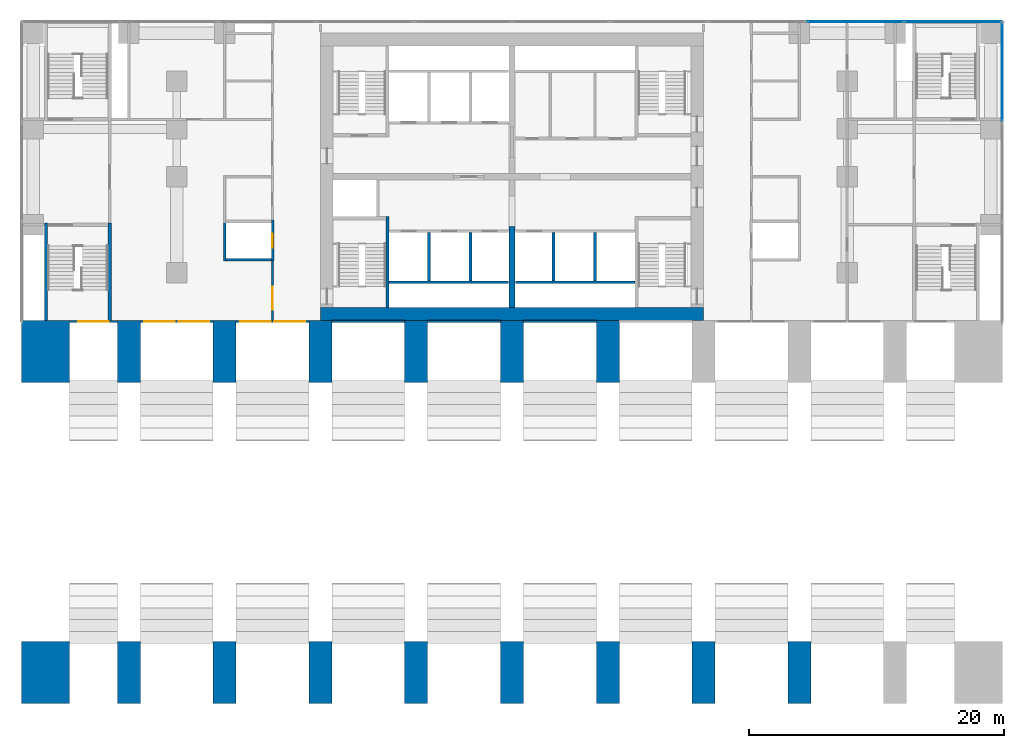
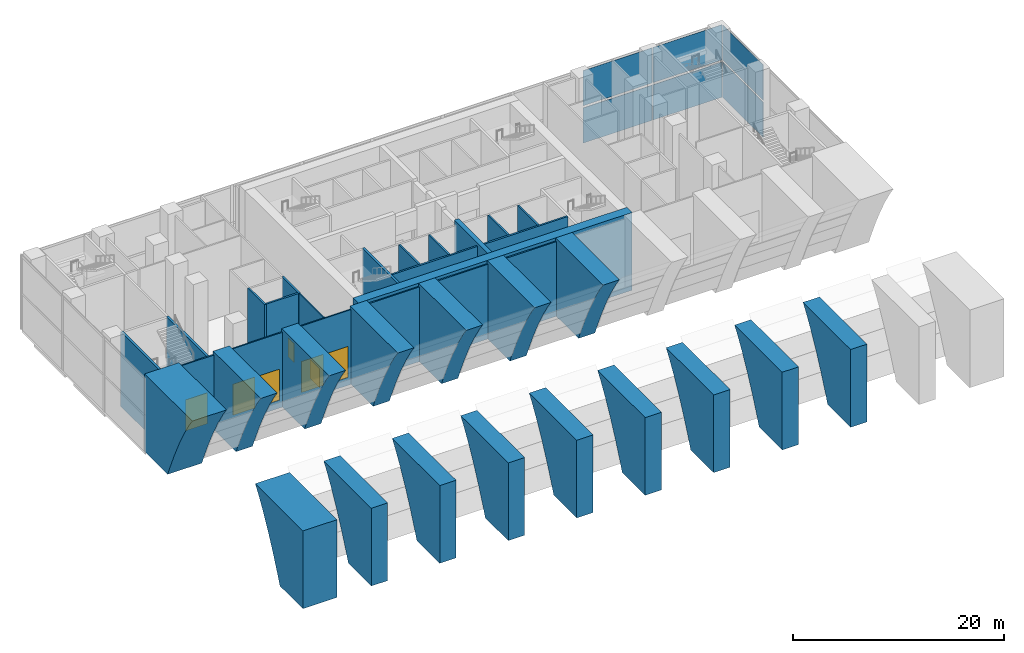
# One storey, part 5 of 14: 37 walls, 6 plates, 5 windows, 2 doors, 7 openings, 4 elements without a shape of their own.
"""IFC4 building model written with IfcOpenShell, lengths in metres."""

from ifc_helpers import new_model, si_unit, direction, frame, frame_2d, origin, origin_2d, place, context, subcontext, project, spatial, polyline, rectangle, outline, extrude, material, layer, layer_set, type_object, element, fill, aggregate, save


model = new_model("IFC4")

# Units and contexts
model_context = context("Model", 3, precision=1e-05, world=origin(), true_north=direction((0.0, 1.0)))
body_context = subcontext(model_context, "Body", "Model", "MODEL_VIEW")
ifc_project = project(units=[si_unit("LENGTHUNIT", "METRE"), si_unit("AREAUNIT", "SQUARE_METRE"), si_unit("VOLUMEUNIT", "CUBIC_METRE"), si_unit("PLANEANGLEUNIT", "RADIAN"), si_unit("MASSUNIT", "GRAM", prefix="KILO")], contexts=[model_context])

# Site, building, storey
site_placement = place(None, origin())
site = spatial("IfcSite", under=ifc_project, at=site_placement, CompositionType="ELEMENT")
building_placement = place(site_placement, origin())
building = spatial("IfcBuilding", under=site, at=building_placement, Name="Pilkhan Gate Tower", CompositionType="ELEMENT")
storey_placement = place(building_placement, frame((0.0, 0.0, 7.5)))
storey = spatial("IfcBuildingStorey", under=building, at=storey_placement, Name="L01", CompositionType="ELEMENT", Elevation=7.5)

# Curtain wall, plate
ifc_material_1 = material(Name="Pale anodised aluminium, clear low-iron laminated glazing", Category="aluminium")
curtain_wall_type = type_object("IfcCurtainWallType", Name="Podium unitised curtain wall CW-P", PredefinedType="USERDEFINED", material=ifc_material_1)
curtain_wall_1_placement = place(storey_placement, origin())
curtain_wall_1 = element("IfcCurtainWall", 1, at=curtain_wall_1_placement, inside=storey, type_object=curtain_wall_type, Name="Podium unitised curtain wall CW-P L01 E", ObjectType="UNITISED CURTAIN WALL", PredefinedType="USERDEFINED")
ifc_material_2 = material(Name="Clear low-iron laminated glazing", Category="glass")
ifc_layer_1 = layer(ifc_material_2, 0.048095703125)
ifc_layer_set_1 = layer_set([ifc_layer_1], Name="Glass panel CW-P 48")
plate_type = type_object("IfcPlateType", Name="Glass panel CW-P 48", PredefinedType="CURTAIN_PANEL", material=ifc_layer_set_1)
plate_1_placement = place(storey_placement, frame((113.39501953125, 90.7216796875, 0.0), z_axis=(0.0, 0.0, 1.0), x_axis=(0.0, 1.0, 0.0)))
plate_1 = element("IfcPlate", 2, at=plate_1_placement, type_object=plate_type, Name="CW-P panel 1", PredefinedType="CURTAIN_PANEL", context=body_context, shape_type="SweptSolid", body=[
    extrude(rectangle(XDim=7.686767578125, YDim=0.048095703125, at=origin_2d()), origin(), (0.0, 0.0, 1.0), 4.074951171875),
])
aggregate(curtain_wall_1, [plate_1])

curtain_wall_2_placement = place(storey_placement, origin())
curtain_wall_2 = element("IfcCurtainWall", 3, at=curtain_wall_2_placement, inside=storey, type_object=curtain_wall_type, Name="Podium unitised curtain wall CW-P L01 E", ObjectType="UNITISED CURTAIN WALL", PredefinedType="USERDEFINED")
plate_2_placement = place(storey_placement, frame((113.39501953125, 90.7216796875, 4.3251953125), z_axis=(0.0, 0.0, 1.0), x_axis=(0.0, 1.0, 0.0)))
plate_2 = element("IfcPlate", 4, at=plate_2_placement, type_object=plate_type, Name="CW-P panel 1", PredefinedType="CURTAIN_PANEL", context=body_context, shape_type="SweptSolid", body=[
    extrude(rectangle(XDim=7.686767578125, YDim=0.048095703125, at=origin_2d()), origin(), (0.0, 0.0, 1.0), 4.074951171875),
])
aggregate(curtain_wall_2, [plate_2])

# Curtain wall, plates
curtain_wall_3_placement = place(storey_placement, origin())
curtain_wall_3 = element("IfcCurtainWall", 5, at=curtain_wall_3_placement, inside=storey, type_object=curtain_wall_type, Name="Podium unitised curtain wall CW-P L01 N", ObjectType="UNITISED CURTAIN WALL", PredefinedType="USERDEFINED")
plate_3_placement = place(storey_placement, frame((101.896484375, 94.64501953125, 0.0), z_axis=(0.0, 0.0, 1.0), x_axis=(1.0, 0.0, 0.0)))
plate_3 = element("IfcPlate", 6, at=plate_3_placement, type_object=plate_type, Name="CW-P panel 1", PredefinedType="CURTAIN_PANEL", context=body_context, shape_type="SweptSolid", body=[
    extrude(rectangle(XDim=7.55908203125, YDim=0.048095703125, at=origin_2d()), origin(), (0.0, 0.0, 1.0), 4.074951171875),
])
plate_4_placement = place(storey_placement, frame((109.535400390625, 94.64501953125, 0.0), z_axis=(0.0, 0.0, 1.0), x_axis=(1.0, 0.0, 0.0)))
plate_4 = element("IfcPlate", 7, at=plate_4_placement, type_object=plate_type, Name="CW-P panel 2", PredefinedType="CURTAIN_PANEL", context=body_context, shape_type="SweptSolid", body=[
    extrude(rectangle(XDim=7.55908203125, YDim=0.048095703125, at=origin_2d()), origin(), (0.0, 0.0, 1.0), 4.074951171875),
])
aggregate(curtain_wall_3, [plate_3, plate_4])

curtain_wall_4_placement = place(storey_placement, origin())
curtain_wall_4 = element("IfcCurtainWall", 8, at=curtain_wall_4_placement, inside=storey, type_object=curtain_wall_type, Name="Podium unitised curtain wall CW-P L01 N", ObjectType="UNITISED CURTAIN WALL", PredefinedType="USERDEFINED")
plate_5_placement = place(storey_placement, frame((101.896484375, 94.64501953125, 4.3251953125), z_axis=(0.0, 0.0, 1.0), x_axis=(1.0, 0.0, 0.0)))
plate_5 = element("IfcPlate", 9, at=plate_5_placement, type_object=plate_type, Name="CW-P panel 1", PredefinedType="CURTAIN_PANEL", context=body_context, shape_type="SweptSolid", body=[
    extrude(rectangle(XDim=7.55908203125, YDim=0.048095703125, at=origin_2d()), origin(), (0.0, 0.0, 1.0), 4.074951171875),
])
plate_6_placement = place(storey_placement, frame((109.535400390625, 94.64501953125, 4.3251953125), z_axis=(0.0, 0.0, 1.0), x_axis=(1.0, 0.0, 0.0)))
plate_6 = element("IfcPlate", 10, at=plate_6_placement, type_object=plate_type, Name="CW-P panel 2", PredefinedType="CURTAIN_PANEL", context=body_context, shape_type="SweptSolid", body=[
    extrude(rectangle(XDim=7.55908203125, YDim=0.048095703125, at=origin_2d()), origin(), (0.0, 0.0, 1.0), 4.074951171875),
])
aggregate(curtain_wall_4, [plate_5, plate_6])

# Walls
ifc_material_3 = material(Name="Concrete C70/85", Category="concrete")
ifc_layer_2 = layer(ifc_material_3, 1.800048828125)
ifc_layer_set_2 = layer_set([ifc_layer_2], Name="Arch wall AW1800 C70/85")
wall_type_1 = type_object("IfcWallType", Name="Arch wall AW1800 C70/85", PredefinedType="SHEAR", material=ifc_layer_set_2)
wall_1_placement = place(storey_placement, frame((45.89990234375, 50.279541015625, 9.0), z_axis=(1.0, 0.0, 0.0), x_axis=(0.0, -1.0, 0.0)))
element("IfcWall", 11, at=wall_1_placement, inside=storey, type_object=wall_type_1, Name="Arch wall -30.00 L01-1", PredefinedType="SHEAR", context=body_context, shape_type="SweptSolid", body=[
    extrude(outline(polyline([(0.0, 0.0), (9.029541015625, 0.0), (9.029541015625, 9.0), (4.678466796875, 9.0), (4.342041015625, 8.16015625), (3.404541015625, 6.023681640625), (2.467041015625, 4.090576171875), (1.529541015625, 2.361083984375), (0.592041015625, 0.8349609375), (0.0, 0.0)])), origin(), (0.0, 0.0, -1.0), 1.800048828125),
])
wall_2_placement = place(storey_placement, frame((45.89990234375, 66.5625, 0.83984375), z_axis=(1.0, 0.0, 0.0), x_axis=(0.0, 0.371855891589, -0.928290469568)))
element("IfcWall", 12, at=wall_2_placement, inside=storey, type_object=wall_type_1, Name="Arch wall -30.00 L01-2", PredefinedType="SHEAR", context=body_context, shape_type="SweptSolid", body=[
    extrude(outline(polyline([(0.0, 0.0), (0.9047208578913915, 0.0), (2.5226934408728128, 4.039060729648831), (-5.831920785239549, 7.385763753946168), (-9.189608810240552, -0.9962731154322428), (-8.194368589775456, -0.7571722268898822), (-6.429068211608948, -0.45439775793944737), (-4.47498219839601, -0.22724730209772814), (-2.33188391672122, -0.07581164449450639), (0.0, 0.0)])), origin(), (0.0, 0.0, -1.0), 1.800048828125),
])
wall_3_placement = place(storey_placement, frame((53.39990234375, 50.279541015625, 9.0), z_axis=(1.0, 0.0, 0.0), x_axis=(0.0, -1.0, 0.0)))
element("IfcWall", 13, at=wall_3_placement, inside=storey, type_object=wall_type_1, Name="Arch wall -22.50 L01-1", PredefinedType="SHEAR", context=body_context, shape_type="SweptSolid", body=[
    extrude(outline(polyline([(0.0, 0.0), (9.029541015625, 0.0), (9.029541015625, 9.0), (4.678466796875, 9.0), (4.342041015625, 8.16015625), (3.404541015625, 6.023681640625), (2.467041015625, 4.090576171875), (1.529541015625, 2.361083984375), (0.592041015625, 0.8349609375), (0.0, 0.0)])), origin(), (0.0, 0.0, -1.0), 1.800048828125),
])
wall_4_placement = place(storey_placement, frame((53.39990234375, 66.5625, 0.83984375), z_axis=(1.0, 0.0, 0.0), x_axis=(0.0, 0.371855891589, -0.928290469568)))
element("IfcWall", 14, at=wall_4_placement, inside=storey, type_object=wall_type_1, Name="Arch wall -22.50 L01-2", PredefinedType="SHEAR", context=body_context, shape_type="SweptSolid", body=[
    extrude(outline(polyline([(0.0, 0.0), (0.9047208578913915, 0.0), (2.5226934408728128, 4.039060729648831), (-5.831920785239549, 7.385763753946168), (-9.189608810240552, -0.9962731154322428), (-8.194368589775456, -0.7571722268898822), (-6.429068211608948, -0.45439775793944737), (-4.47498219839601, -0.22724730209772814), (-2.33188391672122, -0.07581164449450639), (0.0, 0.0)])), origin(), (0.0, 0.0, -1.0), 1.800048828125),
])
wall_5_placement = place(storey_placement, frame((60.89990234375, 50.279541015625, 9.0), z_axis=(1.0, 0.0, 0.0), x_axis=(0.0, -1.0, 0.0)))
element("IfcWall", 15, at=wall_5_placement, inside=storey, type_object=wall_type_1, Name="Arch wall -15.00 L01-1", PredefinedType="SHEAR", context=body_context, shape_type="SweptSolid", body=[
    extrude(outline(polyline([(0.0, 0.0), (9.029541015625, 0.0), (9.029541015625, 9.0), (4.678466796875, 9.0), (4.342041015625, 8.16015625), (3.404541015625, 6.023681640625), (2.467041015625, 4.090576171875), (1.529541015625, 2.361083984375), (0.592041015625, 0.8349609375), (0.0, 0.0)])), origin(), (0.0, 0.0, -1.0), 1.800048828125),
])
wall_6_placement = place(storey_placement, frame((60.89990234375, 66.5625, 0.83984375), z_axis=(1.0, 0.0, 0.0), x_axis=(0.0, 0.371855891589, -0.928290469568)))
element("IfcWall", 16, at=wall_6_placement, inside=storey, type_object=wall_type_1, Name="Arch wall -15.00 L01-2", PredefinedType="SHEAR", context=body_context, shape_type="SweptSolid", body=[
    extrude(outline(polyline([(0.0, 0.0), (0.9047208578913915, 0.0), (2.5226934408728128, 4.039060729648831), (-5.831920785239549, 7.385763753946168), (-9.189608810240552, -0.9962731154322428), (-8.194368589775456, -0.7571722268898822), (-6.429068211608948, -0.45439775793944737), (-4.47498219839601, -0.22724730209772814), (-2.33188391672122, -0.07581164449450639), (0.0, 0.0)])), origin(), (0.0, 0.0, -1.0), 1.800048828125),
])
wall_7_placement = place(storey_placement, frame((68.39990234375, 50.279541015625, 9.0), z_axis=(1.0, 0.0, 0.0), x_axis=(0.0, -1.0, 0.0)))
element("IfcWall", 17, at=wall_7_placement, inside=storey, type_object=wall_type_1, Name="Arch wall -7.50 L01-1", PredefinedType="SHEAR", context=body_context, shape_type="SweptSolid", body=[
    extrude(outline(polyline([(0.0, 0.0), (9.029541015625, 0.0), (9.029541015625, 9.0), (4.678466796875, 9.0), (4.342041015625, 8.16015625), (3.404541015625, 6.023681640625), (2.467041015625, 4.090576171875), (1.529541015625, 2.361083984375), (0.592041015625, 0.8349609375), (0.0, 0.0)])), origin(), (0.0, 0.0, -1.0), 1.800048828125),
])
wall_8_placement = place(storey_placement, frame((68.39990234375, 66.5625, 0.83984375), z_axis=(1.0, 0.0, 0.0), x_axis=(0.0, 0.371855891589, -0.928290469568)))
element("IfcWall", 18, at=wall_8_placement, inside=storey, type_object=wall_type_1, Name="Arch wall -7.50 L01-2", PredefinedType="SHEAR", context=body_context, shape_type="SweptSolid", body=[
    extrude(outline(polyline([(0.0, 0.0), (0.9047208578913915, 0.0), (2.5226934408728128, 4.039060729648831), (-5.831920785239549, 7.385763753946168), (-9.189608810240552, -0.9962731154322428), (-8.194368589775456, -0.7571722268898822), (-6.429068211608948, -0.45439775793944737), (-4.47498219839601, -0.22724730209772814), (-2.33188391672122, -0.07581164449450639), (0.0, 0.0)])), origin(), (0.0, 0.0, -1.0), 1.800048828125),
])
wall_9_placement = place(storey_placement, frame((75.89990234375, 50.279541015625, 9.0), z_axis=(1.0, 0.0, 0.0), x_axis=(0.0, -1.0, 0.0)))
element("IfcWall", 19, at=wall_9_placement, inside=storey, type_object=wall_type_1, Name="Arch wall +0.00 L01-1", PredefinedType="SHEAR", context=body_context, shape_type="SweptSolid", body=[
    extrude(outline(polyline([(0.0, 0.0), (9.029541015625, 0.0), (9.029541015625, 9.0), (4.678466796875, 9.0), (4.342041015625, 8.16015625), (3.404541015625, 6.023681640625), (2.467041015625, 4.090576171875), (1.529541015625, 2.361083984375), (0.592041015625, 0.8349609375), (0.0, 0.0)])), origin(), (0.0, 0.0, -1.0), 1.800048828125),
])
wall_10_placement = place(storey_placement, frame((75.89990234375, 66.5625, 0.83984375), z_axis=(1.0, 0.0, 0.0), x_axis=(0.0, 0.371855891589, -0.928290469568)))
element("IfcWall", 20, at=wall_10_placement, inside=storey, type_object=wall_type_1, Name="Arch wall +0.00 L01-2", PredefinedType="SHEAR", context=body_context, shape_type="SweptSolid", body=[
    extrude(outline(polyline([(0.0, 0.0), (0.9047208578913915, 0.0), (2.5226934408728128, 4.039060729648831), (-5.831920785239549, 7.385763753946168), (-9.189608810240552, -0.9962731154322428), (-8.194368589775456, -0.7571722268898822), (-6.429068211608948, -0.45439775793944737), (-4.47498219839601, -0.22724730209772814), (-2.33188391672122, -0.07581164449450639), (0.0, 0.0)])), origin(), (0.0, 0.0, -1.0), 1.800048828125),
])
wall_11_placement = place(storey_placement, frame((83.39990234375, 50.279541015625, 9.0), z_axis=(1.0, 0.0, 0.0), x_axis=(0.0, -1.0, 0.0)))
element("IfcWall", 21, at=wall_11_placement, inside=storey, type_object=wall_type_1, Name="Arch wall +7.50 L01-1", PredefinedType="SHEAR", context=body_context, shape_type="SweptSolid", body=[
    extrude(outline(polyline([(0.0, 0.0), (9.029541015625, 0.0), (9.029541015625, 9.0), (4.678466796875, 9.0), (4.342041015625, 8.16015625), (3.404541015625, 6.023681640625), (2.467041015625, 4.090576171875), (1.529541015625, 2.361083984375), (0.592041015625, 0.8349609375), (0.0, 0.0)])), origin(), (0.0, 0.0, -1.0), 1.800048828125),
])
wall_12_placement = place(storey_placement, frame((83.39990234375, 66.5625, 0.83984375), z_axis=(1.0, 0.0, 0.0), x_axis=(0.0, 0.371855891589, -0.928290469568)))
element("IfcWall", 22, at=wall_12_placement, inside=storey, type_object=wall_type_1, Name="Arch wall +7.50 L01-2", PredefinedType="SHEAR", context=body_context, shape_type="SweptSolid", body=[
    extrude(outline(polyline([(0.0, 0.0), (0.9047208578913915, 0.0), (2.5226934408728128, 4.039060729648831), (-5.831920785239549, 7.385763753946168), (-9.189608810240552, -0.9962731154322428), (-8.194368589775456, -0.7571722268898822), (-6.429068211608948, -0.45439775793944737), (-4.47498219839601, -0.22724730209772814), (-2.33188391672122, -0.07581164449450639), (0.0, 0.0)])), origin(), (0.0, 0.0, -1.0), 1.800048828125),
])
for number, where, z_axis, x_axis, name in (
    (23, (90.89990234375, 50.279541015625, 9.0), (1.0, 0.0, 0.0), (0.0, -1.0, 0.0), "Arch wall +15.00 L01-1"),
    (24, (98.39990234375, 50.279541015625, 9.0), (1.0, 0.0, 0.0), (0.0, -1.0, 0.0), "Arch wall +22.50 L01-1"),
):
    element("IfcWall", number, at=place(storey_placement, frame(where, z_axis=z_axis, x_axis=x_axis)), inside=storey, type_object=wall_type_1, Name=name, PredefinedType="SHEAR", context=body_context, shape_type="SweptSolid", body=[
        extrude(outline(polyline([(0.0, 0.0), (9.029541015625, 0.0), (9.029541015625, 9.0), (4.678466796875, 9.0), (4.342041015625, 8.16015625), (3.404541015625, 6.023681640625), (2.467041015625, 4.090576171875), (1.529541015625, 2.361083984375), (0.592041015625, 0.8349609375), (0.0, 0.0)])), origin(), (0.0, 0.0, -1.0), 1.800048828125),
    ])
ifc_layer_3 = layer(ifc_material_3, 3.75)
ifc_layer_set_3 = layer_set([ifc_layer_3], Name="Arch wall AW3750 C70/85")
wall_type_2 = type_object("IfcWallType", Name="Arch wall AW3750 C70/85", PredefinedType="SHEAR", material=ifc_layer_set_3)
wall_13_placement = place(storey_placement, frame((40.35009765625, 50.279541015625, 9.0), z_axis=(1.0, 0.0, 0.0), x_axis=(0.0, -1.0, 0.0)))
element("IfcWall", 25, at=wall_13_placement, inside=storey, type_object=wall_type_2, Name="Arch wall -37.50 L01-1", PredefinedType="SHEAR", context=body_context, shape_type="SweptSolid", body=[
    extrude(outline(polyline([(0.0, 0.0), (9.029541015625, 0.0), (9.029541015625, 9.0), (4.678466796875, 9.0), (4.342041015625, 8.16015625), (3.404541015625, 6.023681640625), (2.467041015625, 4.090576171875), (1.529541015625, 2.361083984375), (0.592041015625, 0.8349609375), (0.0, 0.0)])), origin(), (0.0, 0.0, -1.0), 3.75),
])
wall_14_placement = place(storey_placement, frame((40.35009765625, 66.5625, 0.83984375), z_axis=(1.0, 0.0, 0.0), x_axis=(0.0, 0.371855891589, -0.928290469568)))
element("IfcWall", 26, at=wall_14_placement, inside=storey, type_object=wall_type_2, Name="Arch wall -37.50 L01-2", PredefinedType="SHEAR", context=body_context, shape_type="SweptSolid", body=[
    extrude(outline(polyline([(0.0, 0.0), (0.9047208578913915, 0.0), (2.5226934408728128, 4.039060729648831), (-5.831920785239549, 7.385763753946168), (-9.189608810240552, -0.9962731154322428), (-8.194368589775456, -0.7571722268898822), (-6.429068211608948, -0.45439775793944737), (-4.47498219839601, -0.22724730209772814), (-2.33188391672122, -0.07581164449450639), (0.0, 0.0)])), origin(), (0.0, 0.0, -1.0), 3.75),
])
ifc_layer_4 = layer(ifc_material_3, 1.0)
ifc_layer_set_4 = layer_set([ifc_layer_4], Name="Core wall CW1000 C70/85")
wall_type_3 = type_object("IfcWallType", Name="Core wall CW1000 C70/85", PredefinedType="SHEAR", material=ifc_layer_set_4)
wall_15_placement = place(storey_placement, frame((60.0, 71.75, 0.0), z_axis=(0.0, 0.0, 1.0), x_axis=(1.0, 0.0, 0.0)))
element("IfcWall", 27, at=wall_15_placement, inside=storey, type_object=wall_type_3, Name="Core wall S L01", PredefinedType="SHEAR", context=body_context, shape_type="SweptSolid", body=[
    extrude(rectangle(XDim=30.0, YDim=1.0, at=frame_2d((15.0, 0.0))), origin(), (0.0, 0.0, 1.0), 9.0),
])

# Wall, opening, window
ifc_material_4 = material(Name="Pale anodised aluminium, clear laminated glazing", Category="aluminium")
ifc_layer_5 = layer(ifc_material_4, 0.14990234375)
ifc_layer_set_5 = layer_set([ifc_layer_5], Name="Facade infill wall IW150")
wall_type_4 = type_object("IfcWallType", Name="Facade infill wall IW150", PredefinedType="SOLIDWALL", material=ifc_layer_set_5)
wall_16_placement = place(storey_placement, frame((40.35009765625, 71.175048828125, 0.0), z_axis=(0.0, 0.0, 1.0), x_axis=(1.0, 0.0, 0.0)))
wall_16 = element("IfcWall", 28, at=wall_16_placement, inside=storey, type_object=wall_type_4, Name="Shopfront wall L01", PredefinedType="SOLIDWALL", context=body_context, shape_type="SweptSolid", body=[
    extrude(rectangle(XDim=3.75, YDim=0.14990234375, at=frame_2d((1.875, 0.0))), origin(), (0.0, 0.0, 1.0), 8.64990234375),
])
opening_1_placement = place(wall_16_placement, frame((0.675048828125, 0.0, 0.89990234375)))
opening_1 = element("IfcOpeningElement", 29, at=opening_1_placement, cuts=wall_16, Name="Opening WS2", PredefinedType="OPENING", context=body_context, shape_type="SweptSolid", body=[
    extrude(rectangle(XDim=2.39990234375, YDim=3.60009765625, at=frame_2d((1.199951171875, 1.800048828125))), frame((0.0, 0.0849609375, 0.0), z_axis=(0.0, -1.0, 0.0), x_axis=(1.0, 0.0, 0.0)), (0.0, 0.0, 1.0), 0.169921875),
])
window_type = type_object("IfcWindowType", Name="Shopfront window WS2 2400x3600", PartitioningType="SINGLE_PANEL", PredefinedType="WINDOW", material=ifc_material_4)
window_1_placement = place(opening_1_placement, origin())
window_1 = element("IfcWindow", 30, at=window_1_placement, inside=storey, type_object=window_type, Name="Shopfront window L01", OverallHeight=3.60009765625, OverallWidth=2.39990234375, PartitioningType="SINGLE_PANEL", PredefinedType="WINDOW", context=body_context, shape_type="SweptSolid", body=[
    extrude(rectangle(XDim=2.39990234375, YDim=3.60009765625, at=frame_2d((1.199951171875, 1.800048828125))), frame((0.0, 0.030029296875, 0.0), z_axis=(0.0, -1.0, 0.0), x_axis=(1.0, 0.0, 0.0)), (0.0, 0.0, 1.0), 0.06005859375),
])
fill(opening_1, window_1)

# Wall, openings, windows
wall_17_placement = place(storey_placement, frame((45.89990234375, 71.175048828125, 0.0), z_axis=(0.0, 0.0, 1.0), x_axis=(1.0, 0.0, 0.0)))
wall_17 = element("IfcWall", 31, at=wall_17_placement, inside=storey, type_object=wall_type_4, Name="Shopfront wall L01", PredefinedType="SOLIDWALL", context=body_context, shape_type="SweptSolid", body=[
    extrude(rectangle(XDim=5.7001953125, YDim=0.14990234375, at=frame_2d((2.85009765625, 0.0))), origin(), (0.0, 0.0, 1.0), 8.64990234375),
])
opening_2_placement = place(wall_17_placement, frame((0.300048828125, 0.0, 0.89990234375)))
opening_2 = element("IfcOpeningElement", 32, at=opening_2_placement, cuts=wall_17, Name="Opening WS2", PredefinedType="OPENING", context=body_context, shape_type="SweptSolid", body=[
    extrude(rectangle(XDim=2.39990234375, YDim=3.60009765625, at=frame_2d((1.199951171875, 1.800048828125))), frame((0.0, 0.0849609375, 0.0), z_axis=(0.0, -1.0, 0.0), x_axis=(1.0, 0.0, 0.0)), (0.0, 0.0, 1.0), 0.169921875),
])
opening_3_placement = place(wall_17_placement, frame((3.0, 0.0, 0.89990234375)))
opening_3 = element("IfcOpeningElement", 33, at=opening_3_placement, cuts=wall_17, Name="Opening WS2", PredefinedType="OPENING", context=body_context, shape_type="SweptSolid", body=[
    extrude(rectangle(XDim=2.39990234375, YDim=3.60009765625, at=frame_2d((1.199951171875, 1.800048828125))), frame((0.0, 0.0849609375, 0.0), z_axis=(0.0, -1.0, 0.0), x_axis=(1.0, 0.0, 0.0)), (0.0, 0.0, 1.0), 0.169921875),
])
window_2_placement = place(opening_2_placement, origin())
window_2 = element("IfcWindow", 34, at=window_2_placement, inside=storey, type_object=window_type, Name="Shopfront window L01", OverallHeight=3.60009765625, OverallWidth=2.39990234375, PartitioningType="SINGLE_PANEL", PredefinedType="WINDOW", context=body_context, shape_type="SweptSolid", body=[
    extrude(rectangle(XDim=2.39990234375, YDim=3.60009765625, at=frame_2d((1.199951171875, 1.800048828125))), frame((0.0, 0.030029296875, 0.0), z_axis=(0.0, -1.0, 0.0), x_axis=(1.0, 0.0, 0.0)), (0.0, 0.0, 1.0), 0.06005859375),
])
fill(opening_2, window_2)
window_3_placement = place(opening_3_placement, origin())
window_3 = element("IfcWindow", 35, at=window_3_placement, inside=storey, type_object=window_type, Name="Shopfront window L01", OverallHeight=3.60009765625, OverallWidth=2.39990234375, PartitioningType="SINGLE_PANEL", PredefinedType="WINDOW", context=body_context, shape_type="SweptSolid", body=[
    extrude(rectangle(XDim=2.39990234375, YDim=3.60009765625, at=frame_2d((1.199951171875, 1.800048828125))), frame((0.0, 0.030029296875, 0.0), z_axis=(0.0, -1.0, 0.0), x_axis=(1.0, 0.0, 0.0)), (0.0, 0.0, 1.0), 0.06005859375),
])
fill(opening_3, window_3)

wall_18_placement = place(storey_placement, frame((53.39990234375, 71.175048828125, 0.0), z_axis=(0.0, 0.0, 1.0), x_axis=(1.0, 0.0, 0.0)))
wall_18 = element("IfcWall", 36, at=wall_18_placement, inside=storey, type_object=wall_type_4, Name="Shopfront wall L01", PredefinedType="SOLIDWALL", context=body_context, shape_type="SweptSolid", body=[
    extrude(rectangle(XDim=5.7001953125, YDim=0.14990234375, at=frame_2d((2.85009765625, 0.0))), origin(), (0.0, 0.0, 1.0), 8.64990234375),
])
opening_4_placement = place(wall_18_placement, frame((0.300048828125, 0.0, 0.89990234375)))
opening_4 = element("IfcOpeningElement", 37, at=opening_4_placement, cuts=wall_18, Name="Opening WS2", PredefinedType="OPENING", context=body_context, shape_type="SweptSolid", body=[
    extrude(rectangle(XDim=2.39990234375, YDim=3.60009765625, at=frame_2d((1.199951171875, 1.800048828125))), frame((0.0, 0.0849609375, 0.0), z_axis=(0.0, -1.0, 0.0), x_axis=(1.0, 0.0, 0.0)), (0.0, 0.0, 1.0), 0.169921875),
])
opening_5_placement = place(wall_18_placement, frame((3.0, 0.0, 0.89990234375)))
opening_5 = element("IfcOpeningElement", 38, at=opening_5_placement, cuts=wall_18, Name="Opening WS2", PredefinedType="OPENING", context=body_context, shape_type="SweptSolid", body=[
    extrude(rectangle(XDim=2.39990234375, YDim=3.60009765625, at=frame_2d((1.199951171875, 1.800048828125))), frame((0.0, 0.0849609375, 0.0), z_axis=(0.0, -1.0, 0.0), x_axis=(1.0, 0.0, 0.0)), (0.0, 0.0, 1.0), 0.169921875),
])
window_4_placement = place(opening_4_placement, origin())
window_4 = element("IfcWindow", 39, at=window_4_placement, inside=storey, type_object=window_type, Name="Shopfront window L01", OverallHeight=3.60009765625, OverallWidth=2.39990234375, PartitioningType="SINGLE_PANEL", PredefinedType="WINDOW", context=body_context, shape_type="SweptSolid", body=[
    extrude(rectangle(XDim=2.39990234375, YDim=3.60009765625, at=frame_2d((1.199951171875, 1.800048828125))), frame((0.0, 0.030029296875, 0.0), z_axis=(0.0, -1.0, 0.0), x_axis=(1.0, 0.0, 0.0)), (0.0, 0.0, 1.0), 0.06005859375),
])
fill(opening_4, window_4)
window_5_placement = place(opening_5_placement, origin())
window_5 = element("IfcWindow", 40, at=window_5_placement, inside=storey, type_object=window_type, Name="Shopfront window L01", OverallHeight=3.60009765625, OverallWidth=2.39990234375, PartitioningType="SINGLE_PANEL", PredefinedType="WINDOW", context=body_context, shape_type="SweptSolid", body=[
    extrude(rectangle(XDim=2.39990234375, YDim=3.60009765625, at=frame_2d((1.199951171875, 1.800048828125))), frame((0.0, 0.030029296875, 0.0), z_axis=(0.0, -1.0, 0.0), x_axis=(1.0, 0.0, 0.0)), (0.0, 0.0, 1.0), 0.06005859375),
])
fill(opening_5, window_5)

# Walls
for number, where, z_axis, x_axis, name in (
    (41, (60.89990234375, 71.175048828125, 0.0), (0.0, 0.0, 1.0), (1.0, 0.0, 0.0), "Shopfront wall L01"),
    (42, (68.39990234375, 71.175048828125, 0.0), (0.0, 0.0, 1.0), (1.0, 0.0, 0.0), "Shopfront wall L01"),
    (43, (75.89990234375, 71.175048828125, 0.0), (0.0, 0.0, 1.0), (1.0, 0.0, 0.0), "Shopfront wall L01"),
):
    element("IfcWall", number, at=place(storey_placement, frame(where, z_axis=z_axis, x_axis=x_axis)), inside=storey, type_object=wall_type_4, Name=name, PredefinedType="SOLIDWALL", context=body_context, shape_type="SweptSolid", body=[
        extrude(rectangle(XDim=5.7001953125, YDim=0.14990234375, at=frame_2d((2.85009765625, 0.0))), origin(), (0.0, 0.0, 1.0), 8.64990234375),
    ])

# Wall, opening, door
ifc_material_5 = material(Name="Blockwork partition, plastered both sides", Category="masonry")
ifc_layer_6 = layer(ifc_material_5, 0.14990234375)
ifc_layer_set_6 = layer_set([ifc_layer_6], Name="Partition PW150")
wall_type_5 = type_object("IfcWallType", Name="Partition PW150", PredefinedType="PARTITIONING", material=ifc_layer_set_6)
wall_19_placement = place(storey_placement, frame((56.25, 71.25, 0.0), z_axis=(0.0, 0.0, 1.0), x_axis=(0.0, 1.0, 0.0)))
wall_19 = element("IfcWall", 44, at=wall_19_placement, inside=storey, type_object=wall_type_5, Name="Partition L01", PredefinedType="PARTITIONING", context=body_context, shape_type="SweptSolid", body=[
    extrude(rectangle(XDim=4.85009765625, YDim=0.14990234375, at=frame_2d((2.425048828125, 0.0))), origin(), (0.0, 0.0, 1.0), 8.64990234375),
])
opening_6_placement = place(wall_19_placement, frame((0.85009765625, 0.0, 0.0)))
opening_6 = element("IfcOpeningElement", 45, at=opening_6_placement, cuts=wall_19, Name="Opening L01-10", PredefinedType="OPENING", context=body_context, shape_type="SweptSolid", body=[
    extrude(rectangle(XDim=1.800048828125, YDim=2.199951171875, at=frame_2d((0.89990234375, 1.10009765625))), frame((0.0, 0.0849609375, 0.0), z_axis=(0.0, -1.0, 0.0), x_axis=(1.0, 0.0, 0.0)), (0.0, 0.0, 1.0), 0.169921875),
])
ifc_material_6 = material(Name="Timber glazed double door, 30 minute fire resisting", Category="wood")
door_type_1 = type_object("IfcDoorType", Name="Double door D04 1800x2200", OperationType="DOUBLE_DOOR_SINGLE_SWING", PredefinedType="DOOR", material=ifc_material_6)
door_1_placement = place(opening_6_placement, origin())
door_1 = element("IfcDoor", 46, at=door_1_placement, inside=storey, type_object=door_type_1, Name="Hall door", OperationType="DOUBLE_DOOR_SINGLE_SWING", OverallHeight=2.199951171875, OverallWidth=1.800048828125, PredefinedType="DOOR", context=body_context, shape_type="SweptSolid", body=[
    extrude(rectangle(XDim=1.800048828125, YDim=2.199951171875, at=frame_2d((0.89990234375, 1.10009765625))), frame((0.0, 0.02490234375, 0.0), z_axis=(0.0, -1.0, 0.0), x_axis=(1.0, 0.0, 0.0)), (0.0, 0.0, 1.0), 0.050048828125),
])
fill(opening_6, door_1)

# Walls
ifc_material_7 = material(Name="Reinforced blockwork shaft wall, 120 minute fire resisting", Category="masonry")
ifc_layer_7 = layer(ifc_material_7, 0.199951171875)
ifc_layer_set_7 = layer_set([ifc_layer_7], Name="Shaft wall SW200")
wall_type_6 = type_object("IfcWallType", Name="Shaft wall SW200", PredefinedType="PARTITIONING", material=ifc_layer_set_7)
for number, where, z_axis, x_axis, name in (
    (47, (65.375, 74.25, 0.0), (0.0, 0.0, 1.0), (1.0, 0.0, 0.0), "Partition L01"),
    (48, (75.260009765625, 74.25, 0.0), (0.0, 0.0, 1.0), (1.0, 0.0, 0.0), "Partition L01"),
):
    element("IfcWall", number, at=place(storey_placement, frame(where, z_axis=z_axis, x_axis=x_axis)), inside=storey, type_object=wall_type_6, Name=name, PredefinedType="PARTITIONING", context=body_context, shape_type="SweptSolid", body=[
        extrude(rectangle(XDim=9.364990234375, YDim=0.199951171875, at=frame_2d((4.6826171875, 0.0))), origin(), (0.0, 0.0, 1.0), 8.64990234375),
    ])
wall_20_placement = place(storey_placement, frame((52.60009765625, 76.0, 0.0), z_axis=(0.0, 0.0, 1.0), x_axis=(1.0, 0.0, 0.0)))
element("IfcWall", 49, at=wall_20_placement, inside=storey, type_object=wall_type_6, Name="Partition L01", PredefinedType="PARTITIONING", context=body_context, shape_type="SweptSolid", body=[
    extrude(rectangle(XDim=3.5498046875, YDim=0.199951171875, at=frame_2d((1.77490234375, 0.0))), origin(), (0.0, 0.0, 1.0), 8.64990234375),
])
wall_21_placement = place(storey_placement, frame((52.5, 75.89990234375, 0.0), z_axis=(0.0, 0.0, 1.0), x_axis=(0.0, 1.0, 0.0)))
element("IfcWall", 50, at=wall_21_placement, inside=storey, type_object=wall_type_6, Name="Partition L01", PredefinedType="PARTITIONING", context=body_context, shape_type="SweptSolid", body=[
    extrude(rectangle(XDim=3.2001953125, YDim=0.199951171875, at=frame_2d((1.60009765625, 0.0))), origin(), (0.0, 0.0, 1.0), 8.64990234375),
])

# Wall, opening, door
wall_22_placement = place(storey_placement, frame((56.25, 75.89990234375, 0.0), z_axis=(0.0, 0.0, 1.0), x_axis=(0.0, 1.0, 0.0)))
wall_22 = element("IfcWall", 51, at=wall_22_placement, inside=storey, type_object=wall_type_6, Name="Partition L01", PredefinedType="PARTITIONING", context=body_context, shape_type="SweptSolid", body=[
    extrude(rectangle(XDim=3.2001953125, YDim=0.199951171875, at=frame_2d((1.60009765625, 0.0))), origin(), (0.0, 0.0, 1.0), 8.64990234375),
])
opening_7_placement = place(wall_22_placement, frame((1.050048828125, 0.0, 0.0)))
opening_7 = element("IfcOpeningElement", 52, at=opening_7_placement, cuts=wall_22, Name="Opening LD", PredefinedType="OPENING", context=body_context, shape_type="SweptSolid", body=[
    extrude(rectangle(XDim=1.10009765625, YDim=2.199951171875, at=frame_2d((0.550048828125, 1.10009765625))), frame((0.0, 0.10986328125, 0.0), z_axis=(0.0, -1.0, 0.0), x_axis=(1.0, 0.0, 0.0)), (0.0, 0.0, 1.0), 0.219970703125),
])
ifc_material_8 = material(Name="Stainless steel centre-opening landing door, 120 minute fire resisting", Category="steel")
door_type_2 = type_object("IfcDoorType", Name="Lift landing door LD 1100x2200", OperationType="DOUBLE_DOOR_SLIDING", PredefinedType="DOOR", material=ifc_material_8)
door_2_placement = place(opening_7_placement, origin())
door_2 = element("IfcDoor", 53, at=door_2_placement, inside=storey, type_object=door_type_2, Name="Landing door P1", OperationType="DOUBLE_DOOR_SLIDING", OverallHeight=2.199951171875, OverallWidth=1.10009765625, PredefinedType="DOOR", context=body_context, shape_type="SweptSolid", body=[
    extrude(rectangle(XDim=1.10009765625, YDim=2.199951171875, at=frame_2d((0.550048828125, 1.10009765625))), frame((0.0, 0.02490234375, 0.0), z_axis=(0.0, -1.0, 0.0), x_axis=(1.0, 0.0, 0.0)), (0.0, 0.0, 1.0), 0.050048828125),
])
fill(opening_7, door_2)

# Walls
for number, where, z_axis, x_axis, name in (
    (54, (68.5, 74.35009765625, 0.0), (0.0, 0.0, 1.0), (0.0, 1.0, 0.0), "Partition L01"),
    (55, (71.75, 74.35009765625, 0.0), (0.0, 0.0, 1.0), (0.0, 1.0, 0.0), "Partition L01"),
    (56, (78.25, 74.35009765625, 0.0), (0.0, 0.0, 1.0), (0.0, 1.0, 0.0), "Partition L01"),
    (57, (81.5, 74.35009765625, 0.0), (0.0, 0.0, 1.0), (0.0, 1.0, 0.0), "Partition L01"),
):
    element("IfcWall", number, at=place(storey_placement, frame(where, z_axis=z_axis, x_axis=x_axis)), inside=storey, type_object=wall_type_6, Name=name, PredefinedType="PARTITIONING", context=body_context, shape_type="SweptSolid", body=[
        extrude(rectangle(XDim=3.7998046875, YDim=0.199951171875, at=frame_2d((1.89990234375, 0.0))), origin(), (0.0, 0.0, 1.0), 8.64990234375),
    ])
ifc_layer_8 = layer(ifc_material_3, 0.5)
ifc_layer_set_8 = layer_set([ifc_layer_8], Name="Spine wall SW500 C70/85")
wall_type_7 = type_object("IfcWallType", Name="Spine wall SW500 C70/85", PredefinedType="SHEAR", material=ifc_layer_set_8)
wall_23_placement = place(storey_placement, frame((75.0, 72.25, 0.0), z_axis=(0.0, 0.0, 1.0), x_axis=(0.0, 1.0, 0.0)))
element("IfcWall", 58, at=wall_23_placement, inside=storey, type_object=wall_type_7, Name="Spine wall SP-NS-S1 L01", PredefinedType="SHEAR", context=body_context, shape_type="SweptSolid", body=[
    extrude(rectangle(XDim=6.35009765625, YDim=0.5, at=frame_2d((3.175048828125, 0.0))), origin(), (0.0, 0.0, 1.0), 9.0),
])
ifc_material_9 = material(Name="Reinforced blockwork, 120 minute fire resisting", Category="masonry")
ifc_layer_9 = layer(ifc_material_9, 0.25)
ifc_layer_set_9 = layer_set([ifc_layer_9], Name="Stair enclosure wall SE250")
wall_type_8 = type_object("IfcWallType", Name="Stair enclosure wall SE250", PredefinedType="PARTITIONING", material=ifc_layer_set_9)
for number, where, z_axis, x_axis, name in (
    (59, (38.5, 71.25, 0.0), (0.0, 0.0, 1.0), (0.0, 1.0, 0.0), "Partition L01"),
    (60, (43.5, 71.25, 0.0), (0.0, 0.0, 1.0), (0.0, 1.0, 0.0), "Partition L01"),
):
    element("IfcWall", number, at=place(storey_placement, frame(where, z_axis=z_axis, x_axis=x_axis)), inside=storey, type_object=wall_type_8, Name=name, PredefinedType="PARTITIONING", context=body_context, shape_type="SweptSolid", body=[
        extrude(rectangle(XDim=7.625, YDim=0.25, at=frame_2d((3.8125, 0.0))), origin(), (0.0, 0.0, 1.0), 8.64990234375),
    ])
wall_24_placement = place(storey_placement, frame((65.25, 72.260009765625, 0.0), z_axis=(0.0, 0.0, 1.0), x_axis=(0.0, 1.0, 0.0)))
element("IfcWall", 61, at=wall_24_placement, inside=storey, type_object=wall_type_8, Name="Partition L01", PredefinedType="PARTITIONING", context=body_context, shape_type="SweptSolid", body=[
    extrude(rectangle(XDim=7.114990234375, YDim=0.25, at=frame_2d((3.5576171875, 0.0))), origin(), (0.0, 0.0, 1.0), 8.64990234375),
])

save(model, "model.ifc")
